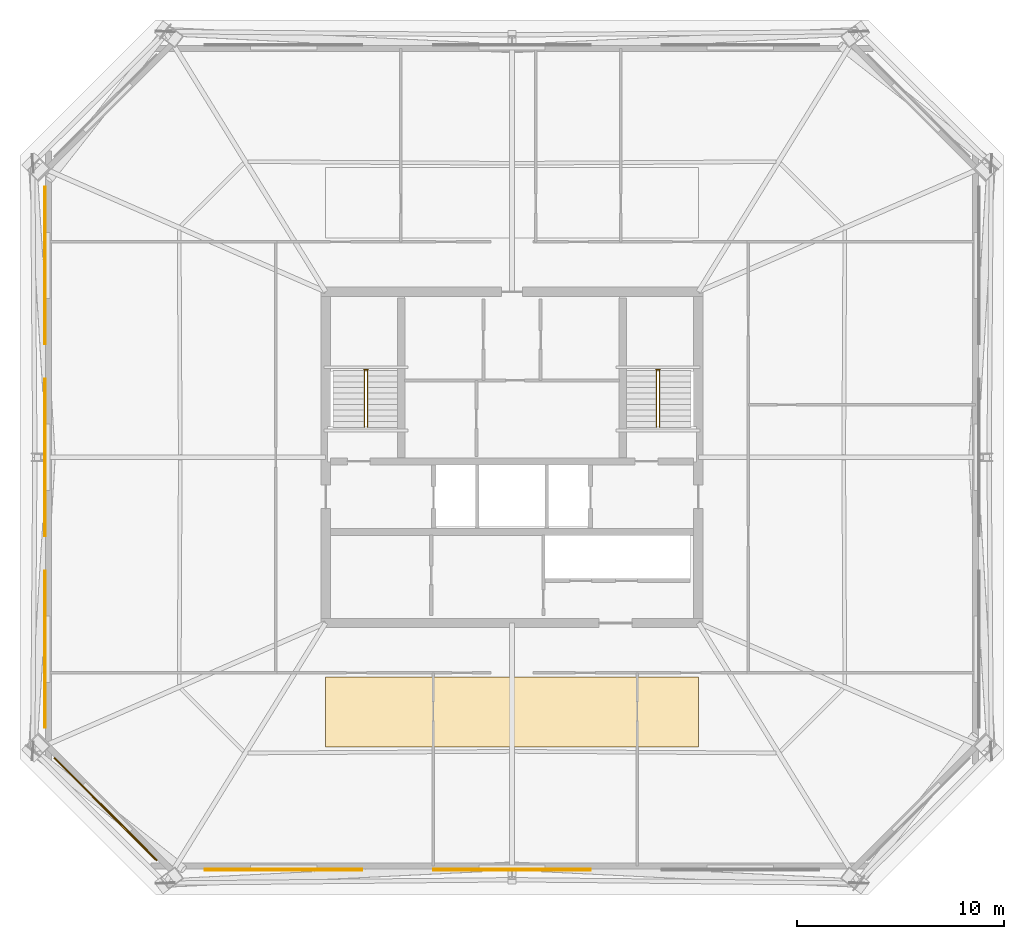
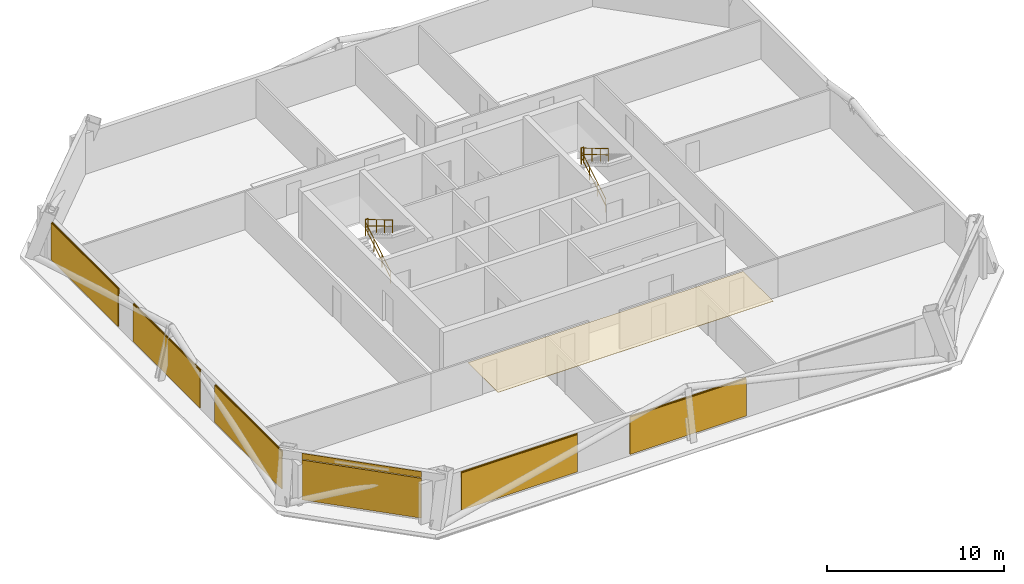
# One storey, part 5 of 6: 7 coverings, 6 railings, 6 shading devices.
"""IFC4 building model written with IfcOpenShell, lengths in metres."""

from ifc_helpers import new_model, si_unit, direction, frame, origin, origin_2d, place, context, subcontext, project, spatial, polyline, rectangle, circle, outline, extrude, material, layer, layer_set, type_object, element, save


model = new_model("IFC4")

# Units and contexts
model_context = context("Model", 3, precision=1e-05, world=origin(), true_north=direction((0.0, 1.0)))
body_context = subcontext(model_context, "Body", "Model", "MODEL_VIEW")
ifc_project = project(units=[si_unit("LENGTHUNIT", "METRE"), si_unit("AREAUNIT", "SQUARE_METRE"), si_unit("VOLUMEUNIT", "CUBIC_METRE"), si_unit("PLANEANGLEUNIT", "RADIAN"), si_unit("MASSUNIT", "GRAM", prefix="KILO")], contexts=[model_context])

# Site, building, storey
site_placement = place(None, origin())
site = spatial("IfcSite", under=ifc_project, at=site_placement, CompositionType="ELEMENT")
building_placement = place(site_placement, origin())
building = spatial("IfcBuilding", under=site, at=building_placement, Name="Caelvoria Tower", CompositionType="ELEMENT")
storey_placement = place(building_placement, frame((0.0, 0.0, 184.199951171875)))
storey = spatial("IfcBuildingStorey", under=building, at=storey_placement, Name="L48", CompositionType="ELEMENT", Elevation=184.199951171875)

# Coverings
ifc_material_1 = material(Name="Acoustic Mineral Fibre Tile", Category="gypsum")
ifc_layer_1 = layer(ifc_material_1, 0.02490234375, Name="Acoustic Mineral Fibre Tile")
ifc_layer_set_1 = layer_set([ifc_layer_1], Name="Mineral-Fibre Acoustic Suspended Ceiling 25 - Acoustic Mineral Fibre Tile")
covering_type_1 = type_object("IfcCoveringType", Name="Mineral-Fibre Acoustic Suspended Ceiling 25", PredefinedType="CEILING", material=ifc_layer_set_1)
covering_1_placement = place(storey_placement, frame((0.0, 0.0, 2.635009765625)))
element("IfcCovering", 1, at=covering_1_placement, inside=storey, type_object=covering_type_1, Name="Suspended Acoustic Ceiling L48", PredefinedType="CEILING", context=body_context, shape_type="SweptSolid", body=[
    extrude(outline(polyline([(37.0, 18.0), (55.0, 18.0), (55.0, 21.39990234375), (37.0, 21.39990234375), (37.0, 18.0)])), origin(), (0.0, 0.0, 1.0), 0.025146484375),
])
ifc_material_2 = material(Name="Perforated Architectural Bronze Cladding Screen", Category="bronze")
ifc_layer_2 = layer(ifc_material_2, 0.0400390625, Name="Perforated Architectural Bronze Cladding Screen")
ifc_layer_set_2 = layer_set([ifc_layer_2], Name="Perforated Bronze Louvre Cladding Band 40 - Perforated Architectural Bronze Cladding Screen")
covering_type_2 = type_object("IfcCoveringType", Name="Perforated Bronze Louvre Cladding Band 40", PredefinedType="CLADDING", material=ifc_layer_set_2)
for number, where, z_axis, x_axis, name in (
    (2, (34.973388671875, 12.10791015625, 2.397216796875), (0.0, 0.0, 1.0), (1.0, 0.0, 0.0), "Perforated Bronze Screen Band L48-E0-00"),
    (3, (46.0, 12.10791015625, 2.397216796875), (0.0, 0.0, 1.0), (1.0, 0.0, 0.0), "Perforated Bronze Screen Band L48-E0-01"),
    (4, (23.468017578125, 41.2666015625, 2.397216796875), (0.0, 0.0, 1.0), (0.0, -1.0, 0.0), "Perforated Bronze Screen Band L48-E6-00"),
    (5, (23.468017578125, 32.0, 2.397216796875), (0.0, 0.0, 1.0), (0.0, -1.0, 0.0), "Perforated Bronze Screen Band L48-E6-01"),
    (6, (23.468017578125, 22.7333984375, 2.397216796875), (0.0, 0.0, 1.0), (0.0, -1.0, 0.0), "Perforated Bronze Screen Band L48-E6-02"),
):
    element("IfcCovering", number, at=place(storey_placement, frame(where, z_axis=z_axis, x_axis=x_axis)), inside=storey, type_object=covering_type_2, Name=name, PredefinedType="CLADDING", context=body_context, shape_type="SweptSolid", body=[
        extrude(rectangle(XDim=7.60009765625, YDim=0.0400390625, at=origin_2d()), origin(), (0.0, 0.0, 1.0), 0.39990234375),
    ])
covering_2_placement = place(storey_placement, frame((26.38818359375, 15.0283203125, 2.940185546875), z_axis=(0.0, 0.0, 1.0), x_axis=(0.707106781187, -0.707106781187, 0.0)))
element("IfcCovering", 7, at=covering_2_placement, inside=storey, type_object=covering_type_2, Name="Perforated Bronze Screen Band L48-E7-00", PredefinedType="CLADDING", context=body_context, shape_type="SweptSolid", body=[
    extrude(rectangle(XDim=7.00244140625, YDim=0.0400390625, at=origin_2d()), origin(), (0.0, 0.0, 1.0), 0.39990234375),
])

# Shading devices
ifc_material_3 = material(Name="Perforated Architectural Bronze Alloy Panel", Category="bronze")
ifc_layer_3 = layer(ifc_material_3, 0.044921875, Name="Perforated Architectural Bronze Alloy Panel")
ifc_layer_set_3 = layer_set([ifc_layer_3], Name="Perforated Bronze Solar Screen Panel SCREEN - Perforated Architectural Bronze Alloy Panel")
shading_device_type = type_object("IfcShadingDeviceType", Name="Perforated Bronze Solar Screen Panel SCREEN", PredefinedType="USERDEFINED", material=ifc_layer_set_3)
for number, where, z_axis, x_axis, name in (
    (8, (34.973388671875, 12.06494140625, 0.16015625), (0.0, 0.0, 1.0), (1.0, 0.0, 0.0), "Perforated Bronze Solar Screen L48-E0-00"),
    (9, (46.0, 12.06494140625, 0.16015625), (0.0, 0.0, 1.0), (1.0, 0.0, 0.0), "Perforated Bronze Solar Screen L48-E0-01"),
    (10, (23.425048828125, 41.2666015625, 0.16015625), (0.0, 0.0, 1.0), (0.0, -1.0, 0.0), "Perforated Bronze Solar Screen L48-E6-00"),
    (11, (23.425048828125, 32.0, 0.16015625), (0.0, 0.0, 1.0), (0.0, -1.0, 0.0), "Perforated Bronze Solar Screen L48-E6-01"),
    (12, (23.425048828125, 22.7333984375, 0.16015625), (0.0, 0.0, 1.0), (0.0, -1.0, 0.0), "Perforated Bronze Solar Screen L48-E6-02"),
):
    element("IfcShadingDevice", number, at=place(storey_placement, frame(where, z_axis=z_axis, x_axis=x_axis)), inside=storey, type_object=shading_device_type, Name=name, ObjectType="SCREEN", PredefinedType="USERDEFINED", context=body_context, shape_type="SweptSolid", body=[
        extrude(rectangle(XDim=7.60009765625, YDim=0.044921875, at=origin_2d()), origin(), (0.0, 0.0, 1.0), 2.576904296875),
    ])
shading_device_placement = place(storey_placement, frame((26.35791015625, 14.997802734375, 0.16015625), z_axis=(0.0, 0.0, 1.0), x_axis=(0.707106781187, -0.707106781187, 0.0)))
element("IfcShadingDevice", 13, at=shading_device_placement, inside=storey, type_object=shading_device_type, Name="Perforated Bronze Solar Screen L48-E7-00", ObjectType="SCREEN", PredefinedType="USERDEFINED", context=body_context, shape_type="SweptSolid", body=[
    extrude(rectangle(XDim=7.00244140625, YDim=0.044921875, at=origin_2d()), origin(), (0.0, 0.0, 1.0), 2.75),
])

# Railings
ifc_material_4 = material(Name="Brushed Stainless Steel Tube", Category="steel")
railing_type_1 = type_object("IfcRailingType", Name="Stair Tubular Stainless Handrail 920", PredefinedType="HANDRAIL", material=ifc_material_4)
railing_1_placement = place(storey_placement, frame((38.8701171875, 33.449951171875, 0.16357421875)))
element("IfcRailing", 14, at=railing_1_placement, inside=storey, type_object=railing_type_1, Name="ST-01 Flight 1 Handrail L48", PredefinedType="HANDRAIL", context=body_context, shape_type="SweptSolid", body=[
    extrude(circle(Radius=0.02392578125, at=origin_2d()), frame((0.0, 0.0, 0.89599609375), z_axis=(0.0, 0.859351957796, 0.511384603436), x_axis=(-1.0, 0.0, 0.0)), (0.0, 0.0, 1.0), 3.2001953125),
    extrude(circle(Radius=0.02392578125, at=origin_2d()), frame((0.0, 0.0, 0.4599609375), z_axis=(0.0, 0.859351957796, 0.511384603436), x_axis=(-1.0, 0.0, 0.0)), (0.0, 0.0, 1.0), 3.2001953125),
    extrude(circle(Radius=0.02099609375, at=origin_2d()), origin(), (0.0, 0.0, 1.0), 0.871826171875),
    extrude(circle(Radius=0.02099609375, at=origin_2d()), frame((0.0, 0.916748046875, 0.54541015625)), (0.0, 0.0, 1.0), 0.871826171875),
    extrude(circle(Radius=0.02099609375, at=origin_2d()), frame((0.0, 1.833251953125, 1.091064453125)), (0.0, 0.0, 1.0), 0.871826171875),
    extrude(circle(Radius=0.02099609375, at=origin_2d()), frame((0.0, 2.75, 1.636474609375)), (0.0, 0.0, 1.0), 0.871826171875),
])
railing_2_placement = place(storey_placement, frame((39.030029296875, 36.199951171875, 1.963623046875)))
element("IfcRailing", 15, at=railing_2_placement, inside=storey, type_object=railing_type_1, Name="ST-01 Flight 2 Handrail L48", PredefinedType="HANDRAIL", context=body_context, shape_type="SweptSolid", body=[
    extrude(circle(Radius=0.02392578125, at=origin_2d()), frame((0.0, 0.0, 0.89599609375), z_axis=(0.0, -0.859351957796, 0.511384603436), x_axis=(1.0, 0.0, 0.0)), (0.0, 0.0, 1.0), 3.2001953125),
    extrude(circle(Radius=0.02392578125, at=origin_2d()), frame((0.0, 0.0, 0.4599609375), z_axis=(0.0, -0.859351957796, 0.511384603436), x_axis=(1.0, 0.0, 0.0)), (0.0, 0.0, 1.0), 3.2001953125),
    extrude(circle(Radius=0.02099609375, at=origin_2d()), origin(), (0.0, 0.0, 1.0), 0.871826171875),
    extrude(circle(Radius=0.02099609375, at=origin_2d()), frame((0.0, -0.916748046875, 0.54541015625)), (0.0, 0.0, 1.0), 0.871826171875),
    extrude(circle(Radius=0.02099609375, at=origin_2d()), frame((0.0, -1.833251953125, 1.091064453125)), (0.0, 0.0, 1.0), 0.871826171875),
    extrude(circle(Radius=0.02099609375, at=origin_2d()), frame((0.0, -2.75, 1.636474609375)), (0.0, 0.0, 1.0), 0.871826171875),
])
railing_3_placement = place(storey_placement, frame((52.969970703125, 33.449951171875, 0.16357421875)))
element("IfcRailing", 16, at=railing_3_placement, inside=storey, type_object=railing_type_1, Name="ST-02 Flight 1 Handrail L48", PredefinedType="HANDRAIL", context=body_context, shape_type="SweptSolid", body=[
    extrude(circle(Radius=0.02392578125, at=origin_2d()), frame((0.0, 0.0, 0.89599609375), z_axis=(0.0, 0.859351957796, 0.511384603436), x_axis=(-1.0, 0.0, 0.0)), (0.0, 0.0, 1.0), 3.2001953125),
    extrude(circle(Radius=0.02392578125, at=origin_2d()), frame((0.0, 0.0, 0.4599609375), z_axis=(0.0, 0.859351957796, 0.511384603436), x_axis=(-1.0, 0.0, 0.0)), (0.0, 0.0, 1.0), 3.2001953125),
    extrude(circle(Radius=0.02099609375, at=origin_2d()), origin(), (0.0, 0.0, 1.0), 0.871826171875),
    extrude(circle(Radius=0.02099609375, at=origin_2d()), frame((0.0, 0.916748046875, 0.54541015625)), (0.0, 0.0, 1.0), 0.871826171875),
    extrude(circle(Radius=0.02099609375, at=origin_2d()), frame((0.0, 1.833251953125, 1.091064453125)), (0.0, 0.0, 1.0), 0.871826171875),
    extrude(circle(Radius=0.02099609375, at=origin_2d()), frame((0.0, 2.75, 1.636474609375)), (0.0, 0.0, 1.0), 0.871826171875),
])
railing_4_placement = place(storey_placement, frame((53.1298828125, 36.199951171875, 1.963623046875)))
element("IfcRailing", 17, at=railing_4_placement, inside=storey, type_object=railing_type_1, Name="ST-02 Flight 2 Handrail L48", PredefinedType="HANDRAIL", context=body_context, shape_type="SweptSolid", body=[
    extrude(circle(Radius=0.02392578125, at=origin_2d()), frame((0.0, 0.0, 0.89599609375), z_axis=(0.0, -0.859351957796, 0.511384603436), x_axis=(1.0, 0.0, 0.0)), (0.0, 0.0, 1.0), 3.2001953125),
    extrude(circle(Radius=0.02392578125, at=origin_2d()), frame((0.0, 0.0, 0.4599609375), z_axis=(0.0, -0.859351957796, 0.511384603436), x_axis=(1.0, 0.0, 0.0)), (0.0, 0.0, 1.0), 3.2001953125),
    extrude(circle(Radius=0.02099609375, at=origin_2d()), origin(), (0.0, 0.0, 1.0), 0.871826171875),
    extrude(circle(Radius=0.02099609375, at=origin_2d()), frame((0.0, -0.916748046875, 0.54541015625)), (0.0, 0.0, 1.0), 0.871826171875),
    extrude(circle(Radius=0.02099609375, at=origin_2d()), frame((0.0, -1.833251953125, 1.091064453125)), (0.0, 0.0, 1.0), 0.871826171875),
    extrude(circle(Radius=0.02099609375, at=origin_2d()), frame((0.0, -2.75, 1.636474609375)), (0.0, 0.0, 1.0), 0.871826171875),
])
ifc_material_5 = material(Name="Brushed Stainless Steel Guardrail", Category="steel")
railing_type_2 = type_object("IfcRailingType", Name="Stair Well and Ramp Guardrail 1120", PredefinedType="GUARDRAIL", material=ifc_material_5)
for number, where, name in (
    (18, (38.8701171875, 36.239990234375, 1.800048828125), "ST-01 Half-Landing Well Guard L48"),
    (19, (52.969970703125, 36.239990234375, 1.800048828125), "ST-02 Half-Landing Well Guard L48"),
):
    element("IfcRailing", number, at=place(storey_placement, frame(where)), inside=storey, type_object=railing_type_2, Name=name, PredefinedType="GUARDRAIL", context=body_context, shape_type="SweptSolid", body=[
        extrude(circle(Radius=0.02392578125, at=origin_2d()), frame((0.0, 0.0, 1.09619140625), z_axis=(1.0, 0.0, 0.0), x_axis=(0.0, 1.0, 0.0)), (0.0, 0.0, 1.0), 0.159912109375),
        extrude(circle(Radius=0.02392578125, at=origin_2d()), frame((0.0, 0.0, 0.56005859375), z_axis=(1.0, 0.0, 0.0), x_axis=(0.0, 1.0, 0.0)), (0.0, 0.0, 1.0), 0.159912109375),
        extrude(circle(Radius=0.02099609375, at=origin_2d()), origin(), (0.0, 0.0, 1.0), 1.072021484375),
        extrude(circle(Radius=0.02099609375, at=origin_2d()), frame((0.159912109375, 0.0, 0.0)), (0.0, 0.0, 1.0), 1.072021484375),
    ])

save(model, "model.ifc")
